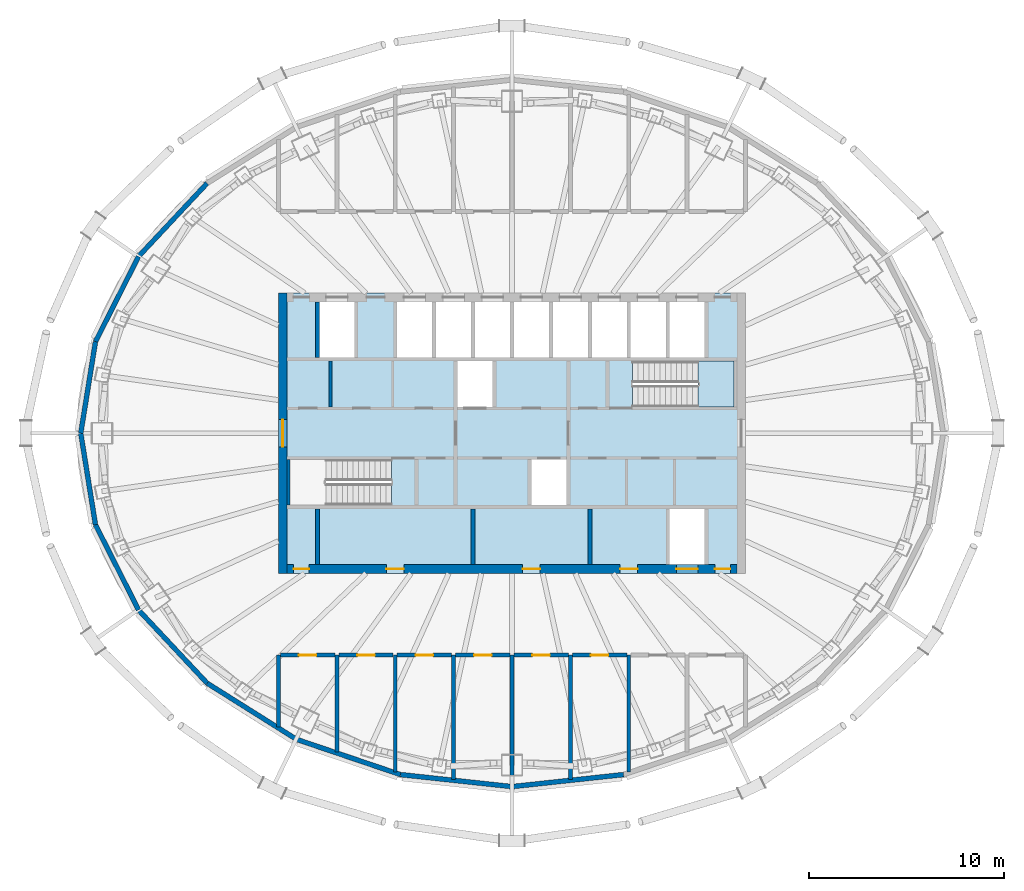
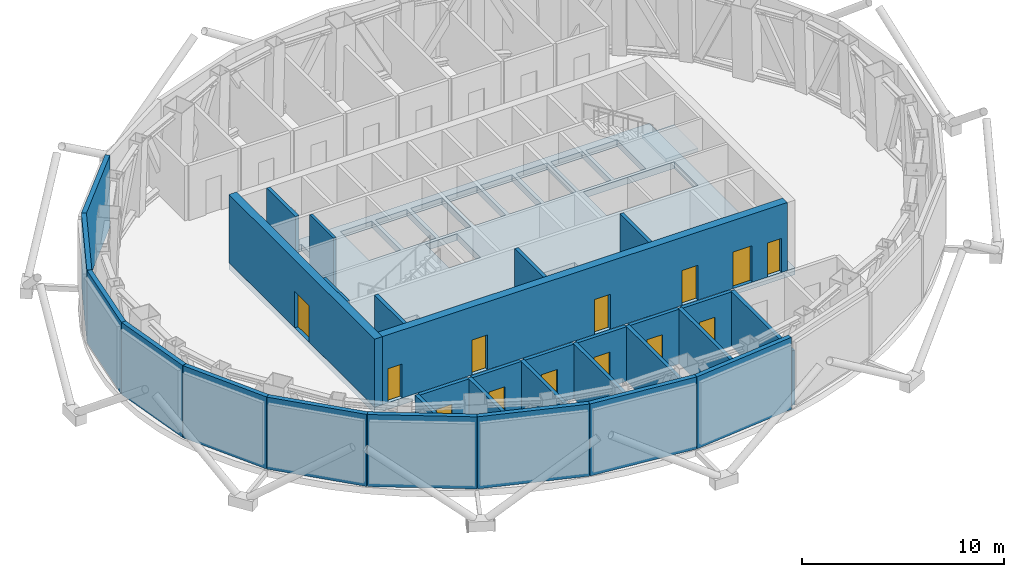
# One storey, part 5 of 15: 31 walls, 13 doors, 2 slabs, 13 openings, 1 element without a shape of its own.
"""IFC4 building model written with IfcOpenShell, lengths in metres."""

from ifc_helpers import new_model, si_unit, direction, frame, frame_2d, origin, place, context, subcontext, project, spatial, polyline, rectangle, outline, extrude, material, layer, layer_set, type_object, element, fill, aggregate, save


model = new_model("IFC4")

# Units and contexts
model_context = context("Model", 3, precision=1e-05, world=origin(), true_north=direction((0.0, 1.0)))
body_context = subcontext(model_context, "Body", "Model", "MODEL_VIEW")
ifc_project = project(units=[si_unit("LENGTHUNIT", "METRE"), si_unit("AREAUNIT", "SQUARE_METRE"), si_unit("VOLUMEUNIT", "CUBIC_METRE"), si_unit("PLANEANGLEUNIT", "RADIAN"), si_unit("MASSUNIT", "GRAM", prefix="KILO")], contexts=[model_context])

# Site, building, storey
site_placement = place(None, origin())
site = spatial("IfcSite", under=ifc_project, at=site_placement, CompositionType="ELEMENT")
building_placement = place(site_placement, origin())
building = spatial("IfcBuilding", under=site, at=building_placement, Name="Siaravel Broadcast Tower", CompositionType="ELEMENT")
storey_placement = place(building_placement, frame((0.0, 0.0, 212.60009765625)))
storey = spatial("IfcBuildingStorey", under=building, at=storey_placement, Name="L51", CompositionType="ELEMENT", Elevation=212.60009765625)

# Slab
ifc_material_1 = material(Name="Concrete C40/50", Category="concrete")
ifc_layer_1 = layer(ifc_material_1, 0.39990234375)
ifc_layer_set_1 = layer_set([ifc_layer_1], Name="Concrete C40/50")
slab_type_1 = type_object("IfcSlabType", Name="Core floor slab 400", PredefinedType="FLOOR", material=ifc_layer_set_1)
slab_1_placement = place(storey_placement, frame((0.0, 0.0, -0.400146484375)))
element("IfcSlab", 1, at=slab_1_placement, inside=storey, type_object=slab_type_1, Name="L51 core floor", PredefinedType="FLOOR", context=body_context, shape_type="SweptSolid", body=[
    extrude(outline(polyline([(-12.0, -7.199951171875), (-12.0, 7.199951171875), (12.0, 7.199951171875), (12.0, -7.199951171875), (-12.0, -7.199951171875)]), holes=[polyline([(11.3994140625, 1.3505859375), (11.3994140625, 3.699462890625), (6.200439453125, 3.699462890625), (6.200439453125, 1.3505859375), (11.3994140625, 1.3505859375)]), polyline([(8.10009765625, -3.89990234375), (8.10009765625, -6.75), (9.89990234375, -6.75), (9.89990234375, -3.89990234375), (8.10009765625, -3.89990234375)]), polyline([(9.89990234375, 6.75), (8.10009765625, 6.75), (8.10009765625, 3.89990234375), (9.89990234375, 3.89990234375), (9.89990234375, 6.75)]), polyline([(7.89990234375, 6.75), (6.10009765625, 6.75), (6.10009765625, 3.89990234375), (7.89990234375, 3.89990234375), (7.89990234375, 6.75)]), polyline([(5.89990234375, 6.75), (4.10009765625, 6.75), (4.10009765625, 3.89990234375), (5.89990234375, 3.89990234375), (5.89990234375, 6.75)]), polyline([(3.89990234375, 6.75), (2.10009765625, 6.75), (2.10009765625, 3.89990234375), (3.89990234375, 3.89990234375), (3.89990234375, 6.75)]), polyline([(2.800048828125, -1.35009765625), (1.0, -1.35009765625), (1.0, -3.699951171875), (2.800048828125, -3.699951171875), (2.800048828125, -1.35009765625)]), polyline([(1.89990234375, 6.75), (0.10009765625, 6.75), (0.10009765625, 3.89990234375), (1.89990234375, 3.89990234375), (1.89990234375, 6.75)]), polyline([(-0.10009765625, 6.75), (-1.89990234375, 6.75), (-1.89990234375, 3.89990234375), (-0.10009765625, 3.89990234375), (-0.10009765625, 6.75)]), polyline([(-1.0, 3.699951171875), (-2.800048828125, 3.699951171875), (-2.800048828125, 1.35009765625), (-1.0, 1.35009765625), (-1.0, 3.699951171875)]), polyline([(-2.10009765625, 6.75), (-3.89990234375, 6.75), (-3.89990234375, 3.89990234375), (-2.10009765625, 3.89990234375), (-2.10009765625, 6.75)]), polyline([(-4.10009765625, 6.75), (-5.89990234375, 6.75), (-5.89990234375, 3.89990234375), (-4.10009765625, 3.89990234375), (-4.10009765625, 6.75)]), polyline([(-11.3994140625, -3.699462890625), (-6.200439453125, -3.699462890625), (-6.200439453125, -1.3505859375), (-11.3994140625, -1.3505859375), (-11.3994140625, -3.699462890625)]), polyline([(-8.10009765625, 6.75), (-9.89990234375, 6.75), (-9.89990234375, 3.89990234375), (-8.10009765625, 3.89990234375), (-8.10009765625, 6.75)])]), origin(), (0.0, 0.0, 1.0), 0.400146484375),
])

# Stair, slab
stair_type = type_object("IfcStairType", Name="Core exit stair", PredefinedType="HALF_TURN_STAIR", material=ifc_material_1)
stair_placement = place(storey_placement, origin())
stair = element("IfcStair", 2, at=stair_placement, inside=storey, type_object=stair_type, Name="L51 Exit stair ST-2", PredefinedType="HALF_TURN_STAIR")
ifc_layer_2 = layer(ifc_material_1, 0.199951171875)
ifc_layer_set_2 = layer_set([ifc_layer_2], Name="Concrete C40/50")
slab_type_2 = type_object("IfcSlabType", Name="Stair landing", PredefinedType="LANDING", material=ifc_layer_set_2)
slab_2_placement = place(storey_placement, frame((0.0, 0.0, 2.0498046875)))
slab_2 = element("IfcSlab", 3, at=slab_2_placement, type_object=slab_type_2, Name="ST-2 landing 1", PredefinedType="LANDING", context=body_context, shape_type="SweptSolid", body=[
    extrude(outline(polyline([(9.56005859375, 1.35009765625), (11.39990234375, 1.35009765625), (11.39990234375, 3.699951171875), (9.56005859375, 3.699951171875), (9.56005859375, 1.35009765625)])), origin(), (0.0, 0.0, 1.0), 0.2001953125),
])
aggregate(stair, [slab_2])

# Walls
ifc_material_2 = material(Name="Concrete blockwork", Category="masonry")
ifc_layer_3 = layer(ifc_material_2, 0.14990234375)
ifc_layer_set_3 = layer_set([ifc_layer_3], Name="Concrete blockwork")
wall_type_1 = type_object("IfcWallType", Name="Core partition 150", PredefinedType="PARTITIONING", material=ifc_layer_set_3)
wall_1_placement = place(storey_placement, frame((-9.330078125, 1.35009765625, 0.0), z_axis=(0.0, 0.0, 1.0), x_axis=(0.0, 1.0, 0.0)))
element("IfcWall", 4, at=wall_1_placement, inside=storey, type_object=wall_type_1, Name="L51 core partition PNW0", PredefinedType="PARTITIONING", context=body_context, shape_type="SweptSolid", body=[
    extrude(rectangle(XDim=2.349853515625, YDim=0.14990234375, at=frame_2d((1.1748046875, 0.0))), origin(), (0.0, 0.0, 1.0), 4.099853515625),
])
ifc_layer_4 = layer(ifc_material_2, 0.199951171875)
ifc_layer_set_4 = layer_set([ifc_layer_4], Name="Concrete blockwork")
wall_type_2 = type_object("IfcWallType", Name="Core partition 200", PredefinedType="PARTITIONING", material=ifc_layer_set_4)
for number, where, z_axis, x_axis, name in (
    (5, (-2.0, -6.75, 0.0), (0.0, 0.0, 1.0), (0.0, 1.0, 0.0), "L51 core partition PFS0"),
    (6, (4.0, -6.75, 0.0), (0.0, 0.0, 1.0), (0.0, 1.0, 0.0), "L51 core partition PFS4"),
):
    element("IfcWall", number, at=place(storey_placement, frame(where, z_axis=z_axis, x_axis=x_axis)), inside=storey, type_object=wall_type_2, Name=name, PredefinedType="PARTITIONING", context=body_context, shape_type="SweptSolid", body=[
        extrude(rectangle(XDim=2.85009765625, YDim=0.199951171875, at=frame_2d((1.425048828125, 0.0))), origin(), (0.0, 0.0, 1.0), 4.099853515625),
    ])

# Wall, opening, door
ifc_material_3 = material(Name="Concrete C60/75", Category="concrete")
ifc_layer_5 = layer(ifc_material_3, 0.449951171875)
ifc_layer_set_5 = layer_set([ifc_layer_5], Name="Concrete C60/75")
wall_type_3 = type_object("IfcWallType", Name="Core wall 450", PredefinedType="SHEAR", material=ifc_layer_set_5)
wall_2_placement = place(storey_placement, frame((-11.77490234375, -7.199951171875, 0.0), z_axis=(0.0, 0.0, 1.0), x_axis=(0.0, 1.0, 0.0)))
wall_2 = element("IfcWall", 7, at=wall_2_placement, inside=storey, type_object=wall_type_3, Name="L51 core wall OW", PredefinedType="SHEAR", context=body_context, shape_type="SweptSolid", body=[
    extrude(rectangle(XDim=14.39990234375, YDim=0.449951171875, at=frame_2d((7.199951171875, 0.0))), origin(), (0.0, 0.0, 1.0), 4.099853515625),
])
opening_1_placement = place(wall_2_placement, frame((6.5, 0.0, 0.0)))
opening_1 = element("IfcOpeningElement", 8, at=opening_1_placement, cuts=wall_2, Name="Opening L51-DX-W", PredefinedType="OPENING", context=body_context, shape_type="SweptSolid", body=[
    extrude(rectangle(XDim=1.39990234375, YDim=2.199951171875, at=frame_2d((0.699951171875, 1.10009765625))), frame((0.0, 0.23486328125, 0.0), z_axis=(0.0, -1.0, 0.0), x_axis=(1.0, 0.0, 0.0)), (0.0, 0.0, 1.0), 0.469970703125),
])
ifc_material_4 = material(Name="Steel", Category="steel")
door_type_1 = type_object("IfcDoorType", Name="Core exit door 1400", OperationType="DOUBLE_DOOR_SINGLE_SWING", PredefinedType="DOOR", material=ifc_material_4)
door_1_placement = place(opening_1_placement, origin())
door_1 = element("IfcDoor", 9, at=door_1_placement, inside=storey, type_object=door_type_1, Name="L51 door DX-W", OperationType="DOUBLE_DOOR_SINGLE_SWING", OverallHeight=2.199951171875, OverallWidth=1.39990234375, PredefinedType="DOOR", context=body_context, shape_type="SweptSolid", body=[
    extrude(rectangle(XDim=1.39990234375, YDim=2.199951171875, at=frame_2d((0.699951171875, 1.10009765625))), frame((0.0, 0.02490234375, 0.0), z_axis=(0.0, -1.0, 0.0), x_axis=(1.0, 0.0, 0.0)), (0.0, 0.0, 1.0), 0.050048828125),
])
fill(opening_1, door_1)

# Wall, openings, doors
wall_3_placement = place(storey_placement, frame((-11.550048828125, -6.97509765625, 0.0), z_axis=(0.0, 0.0, 1.0), x_axis=(1.0, 0.0, 0.0)))
wall_3 = element("IfcWall", 10, at=wall_3_placement, inside=storey, type_object=wall_type_3, Name="L51 core wall OS", PredefinedType="SHEAR", context=body_context, shape_type="SweptSolid", body=[
    extrude(rectangle(XDim=23.10009765625, YDim=0.449951171875, at=frame_2d((11.550048828125, 0.0))), origin(), (0.0, 0.0, 1.0), 4.099853515625),
])
opening_2_placement = place(wall_3_placement, frame((20.0, 0.0, 0.0)))
opening_2 = element("IfcOpeningElement", 11, at=opening_2_placement, cuts=wall_3, Name="Opening LD-SV1-L51", PredefinedType="OPENING", context=body_context, shape_type="SweptSolid", body=[
    extrude(rectangle(XDim=1.10009765625, YDim=2.199951171875, at=frame_2d((0.550048828125, 1.10009765625))), frame((0.0, 0.23486328125, 0.0), z_axis=(0.0, -1.0, 0.0), x_axis=(1.0, 0.0, 0.0)), (0.0, 0.0, 1.0), 0.469970703125),
])
opening_3_placement = place(wall_3_placement, frame((5.10009765625, 0.0, 0.0)))
opening_3 = element("IfcOpeningElement", 12, at=opening_3_placement, cuts=wall_3, Name="Opening L51-DFS0", PredefinedType="OPENING", context=body_context, shape_type="SweptSolid", body=[
    extrude(rectangle(XDim=0.89990234375, YDim=2.10009765625, at=frame_2d((0.449951171875, 1.050048828125))), frame((0.0, 0.23486328125, 0.0), z_axis=(0.0, -1.0, 0.0), x_axis=(1.0, 0.0, 0.0)), (0.0, 0.0, 1.0), 0.469970703125),
])
opening_4_placement = place(wall_3_placement, frame((12.10009765625, 0.0, 0.0)))
opening_4 = element("IfcOpeningElement", 13, at=opening_4_placement, cuts=wall_3, Name="Opening L51-DFS4", PredefinedType="OPENING", context=body_context, shape_type="SweptSolid", body=[
    extrude(rectangle(XDim=0.89990234375, YDim=2.10009765625, at=frame_2d((0.449951171875, 1.050048828125))), frame((0.0, 0.23486328125, 0.0), z_axis=(0.0, -1.0, 0.0), x_axis=(1.0, 0.0, 0.0)), (0.0, 0.0, 1.0), 0.469970703125),
])
opening_5_placement = place(wall_3_placement, frame((17.10009765625, 0.0, 0.0)))
opening_5 = element("IfcOpeningElement", 14, at=opening_5_placement, cuts=wall_3, Name="Opening L51-DFS7", PredefinedType="OPENING", context=body_context, shape_type="SweptSolid", body=[
    extrude(rectangle(XDim=0.89990234375, YDim=2.10009765625, at=frame_2d((0.449951171875, 1.050048828125))), frame((0.0, 0.23486328125, 0.0), z_axis=(0.0, -1.0, 0.0), x_axis=(1.0, 0.0, 0.0)), (0.0, 0.0, 1.0), 0.469970703125),
])
opening_6_placement = place(wall_3_placement, frame((0.324951171875, 0.0, 0.0)))
opening_6 = element("IfcOpeningElement", 15, at=opening_6_placement, cuts=wall_3, Name="Opening L51-DRSW", PredefinedType="OPENING", context=body_context, shape_type="SweptSolid", body=[
    extrude(rectangle(XDim=0.800048828125, YDim=2.050048828125, at=frame_2d((0.39990234375, 1.02490234375))), frame((0.0, 0.23486328125, 0.0), z_axis=(0.0, -1.0, 0.0), x_axis=(1.0, 0.0, 0.0)), (0.0, 0.0, 1.0), 0.469970703125),
])
opening_7_placement = place(wall_3_placement, frame((21.97509765625, 0.0, 0.0)))
opening_7 = element("IfcOpeningElement", 16, at=opening_7_placement, cuts=wall_3, Name="Opening L51-DRSE", PredefinedType="OPENING", context=body_context, shape_type="SweptSolid", body=[
    extrude(rectangle(XDim=0.800048828125, YDim=2.050048828125, at=frame_2d((0.39990234375, 1.02490234375))), frame((0.0, 0.23486328125, 0.0), z_axis=(0.0, -1.0, 0.0), x_axis=(1.0, 0.0, 0.0)), (0.0, 0.0, 1.0), 0.469970703125),
])
ifc_material_5 = material(Name="Timber veneer", Category="wood")
door_type_2 = type_object("IfcDoorType", Name="Core room door 900", OperationType="SINGLE_SWING_LEFT", PredefinedType="DOOR", material=ifc_material_5)
door_2_placement = place(opening_3_placement, origin())
door_2 = element("IfcDoor", 17, at=door_2_placement, inside=storey, type_object=door_type_2, Name="L51 door DFS0", OperationType="SINGLE_SWING_LEFT", OverallHeight=2.10009765625, OverallWidth=0.89990234375, PredefinedType="DOOR", context=body_context, shape_type="SweptSolid", body=[
    extrude(rectangle(XDim=0.89990234375, YDim=2.10009765625, at=frame_2d((0.449951171875, 1.050048828125))), frame((0.0, 0.02490234375, 0.0), z_axis=(0.0, -1.0, 0.0), x_axis=(1.0, 0.0, 0.0)), (0.0, 0.0, 1.0), 0.050048828125),
])
fill(opening_3, door_2)
door_3_placement = place(opening_4_placement, origin())
door_3 = element("IfcDoor", 18, at=door_3_placement, inside=storey, type_object=door_type_2, Name="L51 door DFS4", OperationType="SINGLE_SWING_LEFT", OverallHeight=2.10009765625, OverallWidth=0.89990234375, PredefinedType="DOOR", context=body_context, shape_type="SweptSolid", body=[
    extrude(rectangle(XDim=0.89990234375, YDim=2.10009765625, at=frame_2d((0.449951171875, 1.050048828125))), frame((0.0, 0.02490234375, 0.0), z_axis=(0.0, -1.0, 0.0), x_axis=(1.0, 0.0, 0.0)), (0.0, 0.0, 1.0), 0.050048828125),
])
fill(opening_4, door_3)
door_4_placement = place(opening_5_placement, origin())
door_4 = element("IfcDoor", 19, at=door_4_placement, inside=storey, type_object=door_type_2, Name="L51 door DFS7", OperationType="SINGLE_SWING_LEFT", OverallHeight=2.10009765625, OverallWidth=0.89990234375, PredefinedType="DOOR", context=body_context, shape_type="SweptSolid", body=[
    extrude(rectangle(XDim=0.89990234375, YDim=2.10009765625, at=frame_2d((0.449951171875, 1.050048828125))), frame((0.0, 0.02490234375, 0.0), z_axis=(0.0, -1.0, 0.0), x_axis=(1.0, 0.0, 0.0)), (0.0, 0.0, 1.0), 0.050048828125),
])
fill(opening_5, door_4)
door_type_3 = type_object("IfcDoorType", Name="Riser door 800", OperationType="SINGLE_SWING_LEFT", PredefinedType="DOOR", material=ifc_material_4)
door_5_placement = place(opening_6_placement, origin())
door_5 = element("IfcDoor", 20, at=door_5_placement, inside=storey, type_object=door_type_3, Name="L51 door DRSW", OperationType="SINGLE_SWING_LEFT", OverallHeight=2.050048828125, OverallWidth=0.800048828125, PredefinedType="DOOR", context=body_context, shape_type="SweptSolid", body=[
    extrude(rectangle(XDim=0.800048828125, YDim=2.050048828125, at=frame_2d((0.39990234375, 1.02490234375))), frame((0.0, 0.02490234375, 0.0), z_axis=(0.0, -1.0, 0.0), x_axis=(1.0, 0.0, 0.0)), (0.0, 0.0, 1.0), 0.050048828125),
])
fill(opening_6, door_5)
door_6_placement = place(opening_7_placement, origin())
door_6 = element("IfcDoor", 21, at=door_6_placement, inside=storey, type_object=door_type_3, Name="L51 door DRSE", OperationType="SINGLE_SWING_LEFT", OverallHeight=2.050048828125, OverallWidth=0.800048828125, PredefinedType="DOOR", context=body_context, shape_type="SweptSolid", body=[
    extrude(rectangle(XDim=0.800048828125, YDim=2.050048828125, at=frame_2d((0.39990234375, 1.02490234375))), frame((0.0, 0.02490234375, 0.0), z_axis=(0.0, -1.0, 0.0), x_axis=(1.0, 0.0, 0.0)), (0.0, 0.0, 1.0), 0.050048828125),
])
fill(opening_7, door_6)
ifc_material_6 = material(Name="Stainless steel 316L", Category="steel")
door_type_4 = type_object("IfcDoorType", Name="Service lift landing door 1100", OperationType="DOUBLE_DOOR_SLIDING", PredefinedType="DOOR", material=ifc_material_6)
door_7_placement = place(opening_2_placement, origin())
door_7 = element("IfcDoor", 22, at=door_7_placement, inside=storey, type_object=door_type_4, Name="Landing door SV1 L51", OperationType="DOUBLE_DOOR_SLIDING", OverallHeight=2.199951171875, OverallWidth=1.10009765625, PredefinedType="DOOR", context=body_context, shape_type="SweptSolid", body=[
    extrude(rectangle(XDim=1.10009765625, YDim=2.199951171875, at=frame_2d((0.550048828125, 1.10009765625))), frame((0.0, 0.02490234375, 0.0), z_axis=(0.0, -1.0, 0.0), x_axis=(1.0, 0.0, 0.0)), (0.0, 0.0, 1.0), 0.050048828125),
])
fill(opening_2, door_7)

# Walls
ifc_layer_6 = layer(ifc_material_2, 0.199951171875)
ifc_layer_set_6 = layer_set([ifc_layer_6], Name="Concrete blockwork")
wall_type_4 = type_object("IfcWallType", Name="Plant room wall 200", PredefinedType="PARTITIONING", material=ifc_layer_set_6)
wall_4_placement = place(storey_placement, frame((0.0, -18.107421875, 0.0), z_axis=(0.0, 0.0, 1.0), x_axis=(0.0, 1.0, 0.0)))
element("IfcWall", 23, at=wall_4_placement, inside=storey, type_object=wall_type_4, Name="L51 partition 1", PredefinedType="PARTITIONING", context=body_context, shape_type="SweptSolid", body=[
    extrude(rectangle(XDim=6.70751953125, YDim=0.199951171875, at=frame_2d((3.353759765625, 0.0))), origin(), (0.0, 0.0, 1.0), 3.2998046875),
])
for number, where, z_axis, x_axis, name in (
    (24, (-3.0, -17.783935546875, 0.0), (0.0, 0.0, 1.0), (0.0, 1.0, 0.0), "L51 partition 3"),
    (25, (3.0, -17.783935546875, 0.0), (0.0, 0.0, 1.0), (0.0, 1.0, 0.0), "L51 partition 5"),
):
    element("IfcWall", number, at=place(storey_placement, frame(where, z_axis=z_axis, x_axis=x_axis)), inside=storey, type_object=wall_type_4, Name=name, PredefinedType="PARTITIONING", context=body_context, shape_type="SweptSolid", body=[
        extrude(rectangle(XDim=6.384033203125, YDim=0.199951171875, at=frame_2d((3.19189453125, 0.0))), origin(), (0.0, 0.0, 1.0), 3.2998046875),
    ])
for number, where, z_axis, x_axis, name in (
    (26, (-6.0, -17.3984375, 0.0), (0.0, 0.0, 1.0), (0.0, 1.0, 0.0), "L51 partition 7"),
    (27, (6.0, -17.3984375, 0.0), (0.0, 0.0, 1.0), (0.0, 1.0, 0.0), "L51 partition 9"),
):
    element("IfcWall", number, at=place(storey_placement, frame(where, z_axis=z_axis, x_axis=x_axis)), inside=storey, type_object=wall_type_4, Name=name, PredefinedType="PARTITIONING", context=body_context, shape_type="SweptSolid", body=[
        extrude(rectangle(XDim=5.99853515625, YDim=0.199951171875, at=frame_2d((2.999267578125, 0.0))), origin(), (0.0, 0.0, 1.0), 3.2998046875),
    ])
wall_5_placement = place(storey_placement, frame((-9.0, -16.380615234375, 0.0), z_axis=(0.0, 0.0, 1.0), x_axis=(0.0, 1.0, 0.0)))
element("IfcWall", 28, at=wall_5_placement, inside=storey, type_object=wall_type_4, Name="L51 partition 11", PredefinedType="PARTITIONING", context=body_context, shape_type="SweptSolid", body=[
    extrude(rectangle(XDim=4.980712890625, YDim=0.199951171875, at=frame_2d((2.490234375, 0.0))), origin(), (0.0, 0.0, 1.0), 3.2998046875),
])
wall_6_placement = place(storey_placement, frame((-12.0, -11.387939453125, 0.0), z_axis=(0.0, 0.0, 1.0), x_axis=(0.0, -1.0, 0.0)))
element("IfcWall", 29, at=wall_6_placement, inside=storey, type_object=wall_type_4, Name="L51 partition 15", PredefinedType="PARTITIONING", context=body_context, shape_type="SweptSolid", body=[
    extrude(rectangle(XDim=3.70703125, YDim=0.199951171875, at=frame_2d((1.853515625, 0.0))), origin(), (0.0, 0.0, 1.0), 3.2998046875),
])

# Wall, opening, door
wall_7_placement = place(storey_placement, frame((-11.89794921875, -11.39990234375, 0.0), z_axis=(0.0, 0.0, 1.0), x_axis=(1.0, 0.0, 0.0)))
wall_7 = element("IfcWall", 30, at=wall_7_placement, inside=storey, type_object=wall_type_4, Name="L51 partition 19", PredefinedType="PARTITIONING", context=body_context, shape_type="SweptSolid", body=[
    extrude(rectangle(XDim=2.7958984375, YDim=0.199951171875, at=frame_2d((1.39794921875, 0.0))), origin(), (0.0, 0.0, 1.0), 3.2998046875),
])
opening_8_placement = place(wall_7_placement, frame((0.947998046875, 0.0, 0.0)))
opening_8 = element("IfcOpeningElement", 31, at=opening_8_placement, cuts=wall_7, Name="Opening L51-009", PredefinedType="OPENING", context=body_context, shape_type="SweptSolid", body=[
    extrude(rectangle(XDim=0.89990234375, YDim=2.10009765625, at=frame_2d((0.449951171875, 1.050048828125))), frame((0.0, 0.10986328125, 0.0), z_axis=(0.0, -1.0, 0.0), x_axis=(1.0, 0.0, 0.0)), (0.0, 0.0, 1.0), 0.219970703125),
])
door_type_5 = type_object("IfcDoorType", Name="Plant room door 900", OperationType="SINGLE_SWING_LEFT", PredefinedType="DOOR", material=ifc_material_4)
door_8_placement = place(opening_8_placement, origin())
door_8 = element("IfcDoor", 32, at=door_8_placement, inside=storey, type_object=door_type_5, Name="L51 door to Water tank room", OperationType="SINGLE_SWING_LEFT", OverallHeight=2.10009765625, OverallWidth=0.89990234375, PredefinedType="DOOR", context=body_context, shape_type="SweptSolid", body=[
    extrude(rectangle(XDim=0.89990234375, YDim=2.10009765625, at=frame_2d((0.449951171875, 1.050048828125))), frame((0.0, 0.02490234375, 0.0), z_axis=(0.0, -1.0, 0.0), x_axis=(1.0, 0.0, 0.0)), (0.0, 0.0, 1.0), 0.050048828125),
])
fill(opening_8, door_8)

wall_8_placement = place(storey_placement, frame((-8.89794921875, -11.39990234375, 0.0), z_axis=(0.0, 0.0, 1.0), x_axis=(1.0, 0.0, 0.0)))
wall_8 = element("IfcWall", 33, at=wall_8_placement, inside=storey, type_object=wall_type_4, Name="L51 partition 20", PredefinedType="PARTITIONING", context=body_context, shape_type="SweptSolid", body=[
    extrude(rectangle(XDim=2.7958984375, YDim=0.199951171875, at=frame_2d((1.39794921875, 0.0))), origin(), (0.0, 0.0, 1.0), 3.2998046875),
])
opening_9_placement = place(wall_8_placement, frame((0.947998046875, 0.0, 0.0)))
opening_9 = element("IfcOpeningElement", 34, at=opening_9_placement, cuts=wall_8, Name="Opening L51-010", PredefinedType="OPENING", context=body_context, shape_type="SweptSolid", body=[
    extrude(rectangle(XDim=0.89990234375, YDim=2.10009765625, at=frame_2d((0.449951171875, 1.050048828125))), frame((0.0, 0.10986328125, 0.0), z_axis=(0.0, -1.0, 0.0), x_axis=(1.0, 0.0, 0.0)), (0.0, 0.0, 1.0), 0.219970703125),
])
door_9_placement = place(opening_9_placement, origin())
door_9 = element("IfcDoor", 35, at=door_9_placement, inside=storey, type_object=door_type_5, Name="L51 door to Fire pump plant room", OperationType="SINGLE_SWING_RIGHT", OverallHeight=2.10009765625, OverallWidth=0.89990234375, PredefinedType="DOOR", context=body_context, shape_type="SweptSolid", body=[
    extrude(rectangle(XDim=0.89990234375, YDim=2.10009765625, at=frame_2d((0.449951171875, 1.050048828125))), frame((0.0, 0.02490234375, 0.0), z_axis=(0.0, -1.0, 0.0), x_axis=(1.0, 0.0, 0.0)), (0.0, 0.0, 1.0), 0.050048828125),
])
fill(opening_9, door_9)

wall_9_placement = place(storey_placement, frame((-5.89794921875, -11.39990234375, 0.0), z_axis=(0.0, 0.0, 1.0), x_axis=(1.0, 0.0, 0.0)))
wall_9 = element("IfcWall", 36, at=wall_9_placement, inside=storey, type_object=wall_type_4, Name="L51 partition 22", PredefinedType="PARTITIONING", context=body_context, shape_type="SweptSolid", body=[
    extrude(rectangle(XDim=2.7958984375, YDim=0.199951171875, at=frame_2d((1.39794921875, 0.0))), origin(), (0.0, 0.0, 1.0), 3.2998046875),
])
opening_10_placement = place(wall_9_placement, frame((0.947998046875, 0.0, 0.0)))
opening_10 = element("IfcOpeningElement", 37, at=opening_10_placement, cuts=wall_9, Name="Opening L51-011", PredefinedType="OPENING", context=body_context, shape_type="SweptSolid", body=[
    extrude(rectangle(XDim=0.89990234375, YDim=2.10009765625, at=frame_2d((0.449951171875, 1.050048828125))), frame((0.0, 0.10986328125, 0.0), z_axis=(0.0, -1.0, 0.0), x_axis=(1.0, 0.0, 0.0)), (0.0, 0.0, 1.0), 0.219970703125),
])
door_10_placement = place(opening_10_placement, origin())
door_10 = element("IfcDoor", 38, at=door_10_placement, inside=storey, type_object=door_type_5, Name="L51 door to Sprinkler pump plant room", OperationType="SINGLE_SWING_LEFT", OverallHeight=2.10009765625, OverallWidth=0.89990234375, PredefinedType="DOOR", context=body_context, shape_type="SweptSolid", body=[
    extrude(rectangle(XDim=0.89990234375, YDim=2.10009765625, at=frame_2d((0.449951171875, 1.050048828125))), frame((0.0, 0.02490234375, 0.0), z_axis=(0.0, -1.0, 0.0), x_axis=(1.0, 0.0, 0.0)), (0.0, 0.0, 1.0), 0.050048828125),
])
fill(opening_10, door_10)

wall_10_placement = place(storey_placement, frame((-2.89794921875, -11.39990234375, 0.0), z_axis=(0.0, 0.0, 1.0), x_axis=(1.0, 0.0, 0.0)))
wall_10 = element("IfcWall", 39, at=wall_10_placement, inside=storey, type_object=wall_type_4, Name="L51 partition 24", PredefinedType="PARTITIONING", context=body_context, shape_type="SweptSolid", body=[
    extrude(rectangle(XDim=2.7958984375, YDim=0.199951171875, at=frame_2d((1.39794921875, 0.0))), origin(), (0.0, 0.0, 1.0), 3.2998046875),
])
opening_11_placement = place(wall_10_placement, frame((0.947998046875, 0.0, 0.0)))
opening_11 = element("IfcOpeningElement", 40, at=opening_11_placement, cuts=wall_10, Name="Opening L51-012", PredefinedType="OPENING", context=body_context, shape_type="SweptSolid", body=[
    extrude(rectangle(XDim=0.89990234375, YDim=2.10009765625, at=frame_2d((0.449951171875, 1.050048828125))), frame((0.0, 0.10986328125, 0.0), z_axis=(0.0, -1.0, 0.0), x_axis=(1.0, 0.0, 0.0)), (0.0, 0.0, 1.0), 0.219970703125),
])
door_11_placement = place(opening_11_placement, origin())
door_11 = element("IfcDoor", 41, at=door_11_placement, inside=storey, type_object=door_type_5, Name="L51 door to Smoke extract plant room", OperationType="SINGLE_SWING_RIGHT", OverallHeight=2.10009765625, OverallWidth=0.89990234375, PredefinedType="DOOR", context=body_context, shape_type="SweptSolid", body=[
    extrude(rectangle(XDim=0.89990234375, YDim=2.10009765625, at=frame_2d((0.449951171875, 1.050048828125))), frame((0.0, 0.02490234375, 0.0), z_axis=(0.0, -1.0, 0.0), x_axis=(1.0, 0.0, 0.0)), (0.0, 0.0, 1.0), 0.050048828125),
])
fill(opening_11, door_11)

wall_11_placement = place(storey_placement, frame((0.10205078125, -11.39990234375, 0.0), z_axis=(0.0, 0.0, 1.0), x_axis=(1.0, 0.0, 0.0)))
wall_11 = element("IfcWall", 42, at=wall_11_placement, inside=storey, type_object=wall_type_4, Name="L51 partition 26", PredefinedType="PARTITIONING", context=body_context, shape_type="SweptSolid", body=[
    extrude(rectangle(XDim=2.7958984375, YDim=0.199951171875, at=frame_2d((1.39794921875, 0.0))), origin(), (0.0, 0.0, 1.0), 3.2998046875),
])
opening_12_placement = place(wall_11_placement, frame((0.947998046875, 0.0, 0.0)))
opening_12 = element("IfcOpeningElement", 43, at=opening_12_placement, cuts=wall_11, Name="Opening L51-013", PredefinedType="OPENING", context=body_context, shape_type="SweptSolid", body=[
    extrude(rectangle(XDim=0.89990234375, YDim=2.10009765625, at=frame_2d((0.449951171875, 1.050048828125))), frame((0.0, 0.10986328125, 0.0), z_axis=(0.0, -1.0, 0.0), x_axis=(1.0, 0.0, 0.0)), (0.0, 0.0, 1.0), 0.219970703125),
])
door_12_placement = place(opening_12_placement, origin())
door_12 = element("IfcDoor", 44, at=door_12_placement, inside=storey, type_object=door_type_5, Name="L51 door to Battery plant room", OperationType="SINGLE_SWING_LEFT", OverallHeight=2.10009765625, OverallWidth=0.89990234375, PredefinedType="DOOR", context=body_context, shape_type="SweptSolid", body=[
    extrude(rectangle(XDim=0.89990234375, YDim=2.10009765625, at=frame_2d((0.449951171875, 1.050048828125))), frame((0.0, 0.02490234375, 0.0), z_axis=(0.0, -1.0, 0.0), x_axis=(1.0, 0.0, 0.0)), (0.0, 0.0, 1.0), 0.050048828125),
])
fill(opening_12, door_12)

wall_12_placement = place(storey_placement, frame((3.10205078125, -11.39990234375, 0.0), z_axis=(0.0, 0.0, 1.0), x_axis=(1.0, 0.0, 0.0)))
wall_12 = element("IfcWall", 45, at=wall_12_placement, inside=storey, type_object=wall_type_4, Name="L51 partition 28", PredefinedType="PARTITIONING", context=body_context, shape_type="SweptSolid", body=[
    extrude(rectangle(XDim=2.7958984375, YDim=0.199951171875, at=frame_2d((1.39794921875, 0.0))), origin(), (0.0, 0.0, 1.0), 3.2998046875),
])
opening_13_placement = place(wall_12_placement, frame((0.947998046875, 0.0, 0.0)))
opening_13 = element("IfcOpeningElement", 46, at=opening_13_placement, cuts=wall_12, Name="Opening L51-014", PredefinedType="OPENING", context=body_context, shape_type="SweptSolid", body=[
    extrude(rectangle(XDim=0.89990234375, YDim=2.10009765625, at=frame_2d((0.449951171875, 1.050048828125))), frame((0.0, 0.10986328125, 0.0), z_axis=(0.0, -1.0, 0.0), x_axis=(1.0, 0.0, 0.0)), (0.0, 0.0, 1.0), 0.219970703125),
])
door_13_placement = place(opening_13_placement, origin())
door_13 = element("IfcDoor", 47, at=door_13_placement, inside=storey, type_object=door_type_5, Name="L51 door to UPS plant room", OperationType="SINGLE_SWING_RIGHT", OverallHeight=2.10009765625, OverallWidth=0.89990234375, PredefinedType="DOOR", context=body_context, shape_type="SweptSolid", body=[
    extrude(rectangle(XDim=0.89990234375, YDim=2.10009765625, at=frame_2d((0.449951171875, 1.050048828125))), frame((0.0, 0.02490234375, 0.0), z_axis=(0.0, -1.0, 0.0), x_axis=(1.0, 0.0, 0.0)), (0.0, 0.0, 1.0), 0.050048828125),
])
fill(opening_13, door_13)

# Walls
ifc_layer_7 = layer(ifc_material_1, 0.25)
ifc_layer_set_7 = layer_set([ifc_layer_7], Name="Concrete C40/50")
wall_type_5 = type_object("IfcWallType", Name="Plant storey wall", PredefinedType="STANDARD", material=ifc_layer_set_7)
wall_13_placement = place(storey_placement, frame((-15.6630859375, 12.842529296875, 0.0), z_axis=(0.0, 0.0, 1.0), x_axis=(-0.683652616, -0.729807578, 0.0)))
element("IfcWall", 48, at=wall_13_placement, inside=storey, type_object=wall_type_5, Name="L51 plant storey wall 10", PredefinedType="STANDARD", context=body_context, shape_type="SweptSolid", body=[
    extrude(rectangle(XDim=5.152099609375, YDim=0.25, at=frame_2d((2.576171875, 0.0))), origin(), (0.0, 0.0, 1.0), 4.349853515625),
])
wall_14_placement = place(storey_placement, frame((-19.185302734375, 9.08251953125, 0.0), z_axis=(0.0, 0.0, 1.0), x_axis=(-0.451267564, -0.892388696, 0.0)))
element("IfcWall", 49, at=wall_14_placement, inside=storey, type_object=wall_type_5, Name="L51 plant storey wall 11", PredefinedType="STANDARD", context=body_context, shape_type="SweptSolid", body=[
    extrude(rectangle(XDim=4.90869140625, YDim=0.25, at=frame_2d((2.454345703125, 0.0))), origin(), (0.0, 0.0, 1.0), 4.349853515625),
])
for number, where, z_axis, x_axis, name in (
    (50, (-21.400390625, 4.7021484375, 0.0), (0.0, 0.0, 1.0), (-0.15871022, -0.987325208, 0.0), "L51 plant storey wall 12"),
    (51, (-22.15625, 0.0, 0.0), (0.0, 0.0, 1.0), (0.15871022, -0.987325208, 0.0), "L51 plant storey wall 13"),
):
    element("IfcWall", number, at=place(storey_placement, frame(where, z_axis=z_axis, x_axis=x_axis)), inside=storey, type_object=wall_type_5, Name=name, PredefinedType="STANDARD", context=body_context, shape_type="SweptSolid", body=[
        extrude(rectangle(XDim=4.762451171875, YDim=0.25, at=frame_2d((2.38134765625, 0.0))), origin(), (0.0, 0.0, 1.0), 4.349853515625),
    ])
wall_15_placement = place(storey_placement, frame((-21.400390625, -4.7021484375, 0.0), z_axis=(0.0, 0.0, 1.0), x_axis=(0.451267564, -0.892388696, 0.0)))
element("IfcWall", 52, at=wall_15_placement, inside=storey, type_object=wall_type_5, Name="L51 plant storey wall 14", PredefinedType="STANDARD", context=body_context, shape_type="SweptSolid", body=[
    extrude(rectangle(XDim=4.90869140625, YDim=0.25, at=frame_2d((2.454345703125, 0.0))), origin(), (0.0, 0.0, 1.0), 4.349853515625),
])
wall_16_placement = place(storey_placement, frame((-19.185302734375, -9.08251953125, 0.0), z_axis=(0.0, 0.0, 1.0), x_axis=(0.683652616, -0.729807578, 0.0)))
element("IfcWall", 53, at=wall_16_placement, inside=storey, type_object=wall_type_5, Name="L51 plant storey wall 15", PredefinedType="STANDARD", context=body_context, shape_type="SweptSolid", body=[
    extrude(rectangle(XDim=5.152099609375, YDim=0.25, at=frame_2d((2.576171875, 0.0))), origin(), (0.0, 0.0, 1.0), 4.349853515625),
])
wall_17_placement = place(storey_placement, frame((-15.6630859375, -12.842529296875, 0.0), z_axis=(0.0, 0.0, 1.0), x_axis=(0.846636549, -0.532171545, 0.0)))
element("IfcWall", 54, at=wall_17_placement, inside=storey, type_object=wall_type_5, Name="L51 plant storey wall 16", PredefinedType="STANDARD", context=body_context, shape_type="SweptSolid", body=[
    extrude(rectangle(XDim=5.419921875, YDim=0.25, at=frame_2d((2.7099609375, 0.0))), origin(), (0.0, 0.0, 1.0), 4.349853515625),
])
wall_18_placement = place(storey_placement, frame((-11.074462890625, -15.726806640625, 0.0), z_axis=(0.0, 0.0, 1.0), x_axis=(0.946981992, -0.321286642, 0.0)))
element("IfcWall", 55, at=wall_18_placement, inside=storey, type_object=wall_type_5, Name="L51 plant storey wall 17", PredefinedType="STANDARD", context=body_context, shape_type="SweptSolid", body=[
    extrude(rectangle(XDim=5.641357421875, YDim=0.25, at=frame_2d((2.82080078125, 0.0))), origin(), (0.0, 0.0, 1.0), 4.349853515625),
])
for number, where, z_axis, x_axis, name in (
    (56, (-5.732177734375, -17.539306640625, 0.0), (0.0, 0.0, 1.0), (0.994235386, -0.107219387, 0.0), "L51 plant storey wall 18"),
    (57, (0.0, -18.157470703125, 0.0), (0.0, 0.0, 1.0), (0.994235386, 0.107219387, 0.0), "L51 plant storey wall 19"),
):
    element("IfcWall", number, at=place(storey_placement, frame(where, z_axis=z_axis, x_axis=x_axis)), inside=storey, type_object=wall_type_5, Name=name, PredefinedType="STANDARD", context=body_context, shape_type="SweptSolid", body=[
        extrude(rectangle(XDim=5.765380859375, YDim=0.25, at=frame_2d((2.8828125, 0.0))), origin(), (0.0, 0.0, 1.0), 4.349853515625),
    ])
ifc_layer_8 = layer(ifc_material_3, 0.14990234375)
ifc_layer_set_8 = layer_set([ifc_layer_8], Name="Concrete C60/75")
wall_type_6 = type_object("IfcWallType", Name="Shaft wall 150", PredefinedType="SHEAR", material=ifc_layer_set_8)
wall_19_placement = place(storey_placement, frame((-11.47509765625, -3.699951171875, 0.0), z_axis=(0.0, 0.0, 1.0), x_axis=(0.0, 1.0, 0.0)))
element("IfcWall", 58, at=wall_19_placement, inside=storey, type_object=wall_type_6, Name="L51 core wall ST1W", PredefinedType="SHEAR", context=body_context, shape_type="SweptSolid", body=[
    extrude(rectangle(XDim=2.349853515625, YDim=0.14990234375, at=frame_2d((1.1748046875, 0.0))), origin(), (0.0, 0.0, 1.0), 4.099853515625),
])
ifc_layer_9 = layer(ifc_material_3, 0.199951171875)
ifc_layer_set_9 = layer_set([ifc_layer_9], Name="Concrete C60/75")
wall_type_7 = type_object("IfcWallType", Name="Shaft wall 200", PredefinedType="SHEAR", material=ifc_layer_set_9)
for number, where, z_axis, x_axis, name in (
    (59, (-10.0, -6.75, 0.0), (0.0, 0.0, 1.0), (0.0, 1.0, 0.0), "L51 core wall SWS0"),
    (60, (-10.0, 3.89990234375, 0.0), (0.0, 0.0, 1.0), (0.0, 1.0, 0.0), "L51 core wall SWN0"),
):
    element("IfcWall", number, at=place(storey_placement, frame(where, z_axis=z_axis, x_axis=x_axis)), inside=storey, type_object=wall_type_7, Name=name, PredefinedType="SHEAR", context=body_context, shape_type="SweptSolid", body=[
        extrude(rectangle(XDim=2.85009765625, YDim=0.199951171875, at=frame_2d((1.425048828125, 0.0))), origin(), (0.0, 0.0, 1.0), 4.099853515625),
    ])

save(model, "model.ifc")
